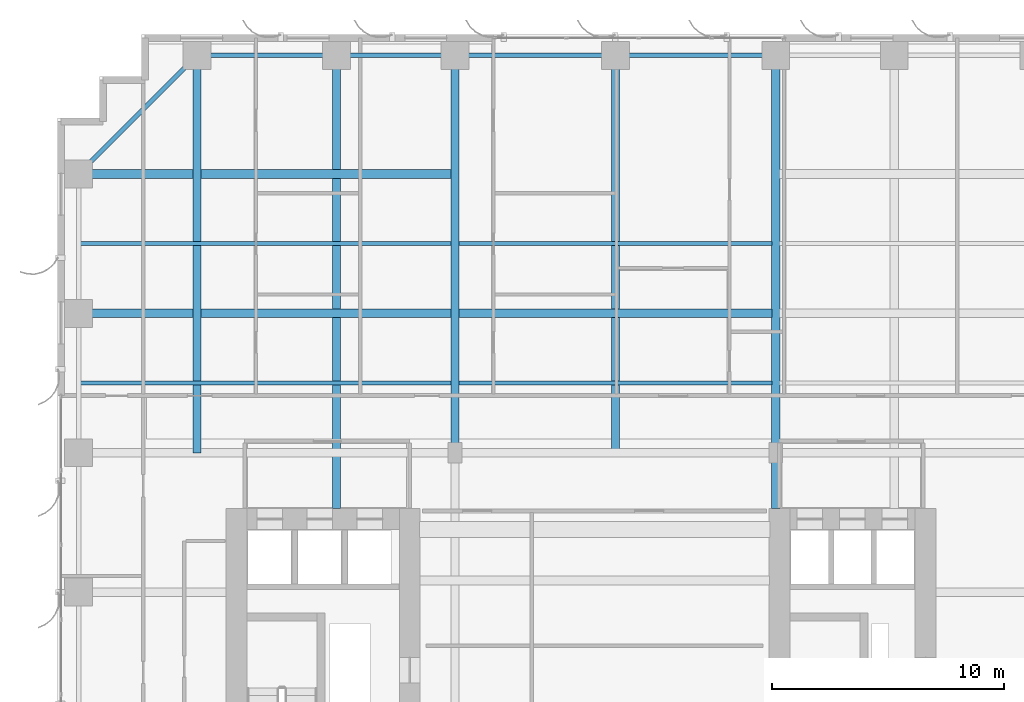
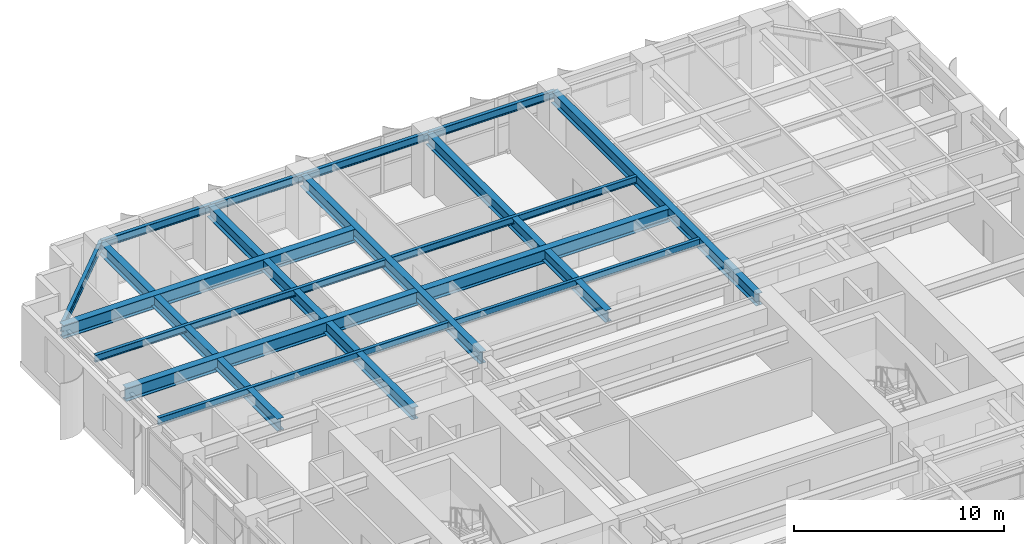
# One storey, part 10 of 24: 17 beams.
"""IFC4 building model written with IfcOpenShell, lengths in metres."""

from ifc_helpers import new_model, si_unit, direction, frame, origin, origin_2d, place, context, subcontext, project, spatial, i_section, extrude, source, transform, mapped, material, material_profile, profile_set, type_object, element, save


model = new_model("IFC4")

# Units and contexts
model_context = context("Model", 3, precision=1e-05, world=origin(), true_north=direction((0.0, 1.0)))
body_context = subcontext(model_context, "Body", "Model", "MODEL_VIEW")
ifc_project = project(units=[si_unit("LENGTHUNIT", "METRE"), si_unit("AREAUNIT", "SQUARE_METRE"), si_unit("VOLUMEUNIT", "CUBIC_METRE"), si_unit("PLANEANGLEUNIT", "RADIAN"), si_unit("MASSUNIT", "GRAM", prefix="KILO")], contexts=[model_context])

# Site, building, storey
site_placement = place(None, origin())
site = spatial("IfcSite", under=ifc_project, at=site_placement, CompositionType="ELEMENT")
building_placement = place(site_placement, origin())
building = spatial("IfcBuilding", under=site, at=building_placement, Name="Khoralis Quay Care Tower", CompositionType="ELEMENT")
storey_placement = place(building_placement, frame((0.0, 0.0, 40.5)))
storey = spatial("IfcBuildingStorey", under=building, at=storey_placement, Name="L10", CompositionType="ELEMENT", Elevation=40.5)

# Beams
ifc_material = material(Name="Steel S355", Category="steel")
ifc_material_profile_1 = material_profile(ifc_material, i_section(OverallWidth=0.18994140625, OverallDepth=0.449951171875, WebThickness=0.009521484375, FlangeThickness=0.0146484375, FilletRadius=0.02099609375, at=origin_2d()), Name="Steel S355")
ifc_profile_set_1 = profile_set([ifc_material_profile_1], Name="Steel S355")
beam_type_1 = type_object("IfcBeamType", Name="BM-IPE450", PredefinedType="SPANDREL", material=ifc_profile_set_1)
shared_shape_1 = source(origin(), body_context, "Body", "SweptSolid", [
    extrude(i_section(OverallWidth=0.18994140625, OverallDepth=0.449951171875, WebThickness=0.009521484375, FlangeThickness=0.0146484375, FilletRadius=0.02099609375, at=origin_2d()), origin(), (0.0, 0.0, 1.0), 6.0),
])
beam_1_placement = place(storey_placement, frame((6.0, 47.10009765625, 3.094970703125), z_axis=(1.0, 0.0, 0.0), x_axis=(0.0, 1.0, 0.0)))
element("IfcBeam", 1, at=beam_1_placement, inside=storey, type_object=beam_type_1, Name="BM-TSP-L10-07", PredefinedType="SPANDREL", context=body_context, shape_type="MappedRepresentation", body=[
    mapped(shared_shape_1, transform((0.0, 0.0, 0.0), scale=1.0)),
])
shared_shape_2 = source(origin(), body_context, "Body", "SweptSolid", [
    extrude(i_section(OverallWidth=0.18994140625, OverallDepth=0.449951171875, WebThickness=0.009521484375, FlangeThickness=0.0146484375, FilletRadius=0.02099609375, at=origin_2d()), origin(), (0.0, 0.0, 1.0), 5.10009765625),
])
beam_2_placement = place(storey_placement, frame((12.0, 47.10009765625, 3.094970703125), z_axis=(1.0, 0.0, 0.0), x_axis=(0.0, 1.0, 0.0)))
element("IfcBeam", 2, at=beam_2_placement, inside=storey, type_object=beam_type_1, Name="BM-TSP-L10-08", PredefinedType="SPANDREL", context=body_context, shape_type="MappedRepresentation", body=[
    mapped(shared_shape_2, transform((0.0, 0.0, 0.0), scale=1.0)),
])
shared_shape_3 = source(origin(), body_context, "Body", "SweptSolid", [
    extrude(i_section(OverallWidth=0.18994140625, OverallDepth=0.449951171875, WebThickness=0.009521484375, FlangeThickness=0.0146484375, FilletRadius=0.02099609375, at=origin_2d()), origin(), (0.0, 0.0, 1.0), 6.89990234375),
])
for number, where, z_axis, x_axis, name in (
    (3, (17.10009765625, 47.10009765625, 3.094970703125), (1.0, 0.0, 0.0), (0.0, 1.0, 0.0), "BM-TSP-L10-09"),
    (4, (24.0, 47.10009765625, 3.094970703125), (1.0, 0.0, 0.0), (0.0, 1.0, 0.0), "BM-TSP-L10-10"),
):
    element("IfcBeam", number, at=place(storey_placement, frame(where, z_axis=z_axis, x_axis=x_axis)), inside=storey, type_object=beam_type_1, Name=name, PredefinedType="SPANDREL", context=body_context, shape_type="MappedRepresentation", body=[
        mapped(shared_shape_3, transform((0.0, 0.0, 0.0), scale=1.0)),
    ])
shared_shape_4 = source(origin(), body_context, "Body", "SweptSolid", [
    extrude(i_section(OverallWidth=0.18994140625, OverallDepth=0.449951171875, WebThickness=0.009521484375, FlangeThickness=0.0146484375, FilletRadius=0.02099609375, at=origin_2d()), origin(), (0.0, 0.0, 1.0), 7.212646484375),
])
beam_3_placement = place(storey_placement, frame((6.0, 47.10009765625, 3.094970703125), z_axis=(-0.707106781187, -0.707106781187, 0.0), x_axis=(0.707106781187, -0.707106781187, 0.0)))
element("IfcBeam", 5, at=beam_3_placement, inside=storey, type_object=beam_type_1, Name="BM-TCR-L10-27", PredefinedType="SPANDREL", context=body_context, shape_type="MappedRepresentation", body=[
    mapped(shared_shape_4, transform((0.0, 0.0, 0.0), scale=1.0)),
])
ifc_material_profile_2 = material_profile(ifc_material, i_section(OverallWidth=0.381103515625, OverallDepth=0.77294921875, WebThickness=0.0166015625, FlangeThickness=0.027587890625, FilletRadius=0.02197265625, at=origin_2d()), Name="Steel S355")
ifc_profile_set_2 = profile_set([ifc_material_profile_2], Name="Steel S355")
beam_type_2 = type_object("IfcBeamType", Name="BM-W760X257", PredefinedType="BEAM", material=ifc_profile_set_2)
shared_shape_5 = source(origin(), body_context, "Body", "SweptSolid", [
    extrude(i_section(OverallWidth=0.381103515625, OverallDepth=0.77294921875, WebThickness=0.0166015625, FlangeThickness=0.027587890625, FilletRadius=0.02197265625, at=origin_2d()), origin(), (0.0, 0.0, 1.0), 16.03466796875),
])
for number, where, z_axis, x_axis, name in (
    (6, (0.89990234375, 36.0, 2.93359375), (1.0, 0.0, 0.0), (0.0, 1.0, 0.0), "BM-TGXW-L10-360"),
    (7, (0.89990234375, 42.0, 2.93359375), (1.0, 0.0, 0.0), (0.0, 1.0, 0.0), "BM-TGXW-L10-420"),
):
    element("IfcBeam", number, at=place(storey_placement, frame(where, z_axis=z_axis, x_axis=x_axis)), inside=storey, type_object=beam_type_2, Name=name, PredefinedType="BEAM", context=body_context, shape_type="MappedRepresentation", body=[
        mapped(shared_shape_5, transform((0.0, 0.0, 0.0), scale=1.0)),
    ])
shared_shape_6 = source(origin(), body_context, "Body", "SweptSolid", [
    extrude(i_section(OverallWidth=0.381103515625, OverallDepth=0.77294921875, WebThickness=0.0166015625, FlangeThickness=0.027587890625, FilletRadius=0.02197265625, at=origin_2d()), origin(), (0.0, 0.0, 1.0), 13.46923828125),
])
beam_4_placement = place(storey_placement, frame((17.265380859375, 36.0, 2.93359375), z_axis=(1.0, 0.0, 0.0), x_axis=(0.0, 1.0, 0.0)))
element("IfcBeam", 8, at=beam_4_placement, inside=storey, type_object=beam_type_2, Name="BM-TGCC-L10-360", PredefinedType="BEAM", context=body_context, shape_type="MappedRepresentation", body=[
    mapped(shared_shape_6, transform((0.0, 0.0, 0.0), scale=1.0)),
])
ifc_material_profile_3 = material_profile(ifc_material, i_section(OverallWidth=0.35498046875, OverallDepth=0.695068359375, WebThickness=0.015380859375, FlangeThickness=0.02490234375, FilletRadius=0.02001953125, at=origin_2d()), Name="Steel S355")
ifc_profile_set_3 = profile_set([ifc_material_profile_3], Name="Steel S355")
beam_type_3 = type_object("IfcBeamType", Name="BM-W690X217", PredefinedType="BEAM", material=ifc_profile_set_3)
shared_shape_7 = source(origin(), body_context, "Body", "SweptSolid", [
    extrude(i_section(OverallWidth=0.35498046875, OverallDepth=0.695068359375, WebThickness=0.015380859375, FlangeThickness=0.02490234375, FilletRadius=0.02001953125, at=origin_2d()), origin(), (0.0, 0.0, 1.0), 17.10009765625),
])
for number, where, z_axis, x_axis, name in (
    (9, (6.0, 30.0, 2.972412109375), (0.0, 1.0, 0.0), (-1.0, 0.0, 0.0), "BM-TGYN-L10-60"),
    (10, (17.10009765625, 30.0, 2.972412109375), (0.0, 1.0, 0.0), (-1.0, 0.0, 0.0), "BM-TGYN-L10-171"),
    (11, (24.0, 30.0, 2.972412109375), (0.0, 1.0, 0.0), (-1.0, 0.0, 0.0), "BM-TGYN-L10-240"),
):
    element("IfcBeam", number, at=place(storey_placement, frame(where, z_axis=z_axis, x_axis=x_axis)), inside=storey, type_object=beam_type_3, Name=name, PredefinedType="BEAM", context=body_context, shape_type="MappedRepresentation", body=[
        mapped(shared_shape_7, transform((0.0, 0.0, 0.0), scale=1.0)),
    ])
shared_shape_8 = source(origin(), body_context, "Body", "SweptSolid", [
    extrude(i_section(OverallWidth=0.35498046875, OverallDepth=0.695068359375, WebThickness=0.015380859375, FlangeThickness=0.02490234375, FilletRadius=0.02001953125, at=origin_2d()), origin(), (0.0, 0.0, 1.0), 19.502197265625),
])
for number, where, z_axis, x_axis, name in (
    (12, (12.0, 27.597900390625, 2.972412109375), (0.0, 1.0, 0.0), (-1.0, 0.0, 0.0), "BM-TGYN-L10-120"),
    (13, (30.89990234375, 27.597900390625, 2.972412109375), (0.0, 1.0, 0.0), (-1.0, 0.0, 0.0), "BM-TGYN-L10-309"),
):
    element("IfcBeam", number, at=place(storey_placement, frame(where, z_axis=z_axis, x_axis=x_axis)), inside=storey, type_object=beam_type_3, Name=name, PredefinedType="BEAM", context=body_context, shape_type="MappedRepresentation", body=[
        mapped(shared_shape_8, transform((0.0, 0.0, 0.0), scale=1.0)),
    ])
ifc_material_profile_4 = material_profile(ifc_material, i_section(OverallWidth=0.177978515625, OverallDepth=0.406982421875, WebThickness=0.0078125, FlangeThickness=0.0126953125, FilletRadius=0.012939453125, at=origin_2d()), Name="Steel S355")
ifc_profile_set_4 = profile_set([ifc_material_profile_4], Name="Steel S355")
beam_type_4 = type_object("IfcBeamType", Name="BM-W410X60", PredefinedType="JOIST", material=ifc_profile_set_4)
shared_shape_9 = source(origin(), body_context, "Body", "SweptSolid", [
    extrude(i_section(OverallWidth=0.177978515625, OverallDepth=0.406982421875, WebThickness=0.0078125, FlangeThickness=0.0126953125, FilletRadius=0.012939453125, at=origin_2d()), origin(), (0.0, 0.0, 1.0), 15.95361328125),
])
for number, where, z_axis, x_axis, name in (
    (14, (0.98095703125, 33.0, 3.116455078125), (1.0, 0.0, 0.0), (0.0, 1.0, 0.0), "BM-TJS-L10-32"),
    (15, (0.98095703125, 39.0, 3.116455078125), (1.0, 0.0, 0.0), (0.0, 1.0, 0.0), "BM-TJS-L10-35"),
):
    element("IfcBeam", number, at=place(storey_placement, frame(where, z_axis=z_axis, x_axis=x_axis)), inside=storey, type_object=beam_type_4, Name=name, PredefinedType="JOIST", context=body_context, shape_type="MappedRepresentation", body=[
        mapped(shared_shape_9, transform((0.0, 0.0, 0.0), scale=1.0)),
    ])
shared_shape_10 = source(origin(), body_context, "Body", "SweptSolid", [
    extrude(i_section(OverallWidth=0.177978515625, OverallDepth=0.406982421875, WebThickness=0.0078125, FlangeThickness=0.0126953125, FilletRadius=0.012939453125, at=origin_2d()), origin(), (0.0, 0.0, 1.0), 13.46923828125),
])
for number, where, z_axis, x_axis, name in (
    (16, (17.265380859375, 33.0, 3.116455078125), (1.0, 0.0, 0.0), (0.0, 1.0, 0.0), "BM-TJS-L10-34"),
    (17, (17.265380859375, 39.0, 3.116455078125), (1.0, 0.0, 0.0), (0.0, 1.0, 0.0), "BM-TJS-L10-37"),
):
    element("IfcBeam", number, at=place(storey_placement, frame(where, z_axis=z_axis, x_axis=x_axis)), inside=storey, type_object=beam_type_4, Name=name, PredefinedType="JOIST", context=body_context, shape_type="MappedRepresentation", body=[
        mapped(shared_shape_10, transform((0.0, 0.0, 0.0), scale=1.0)),
    ])

save(model, "model.ifc")
